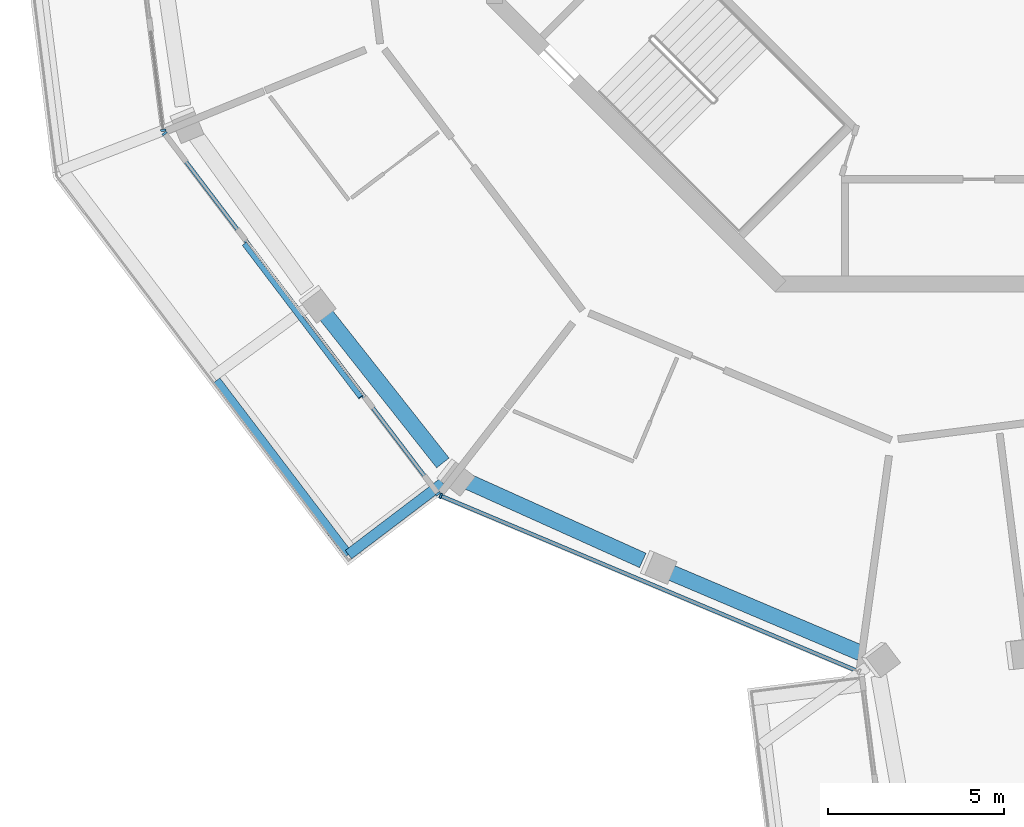
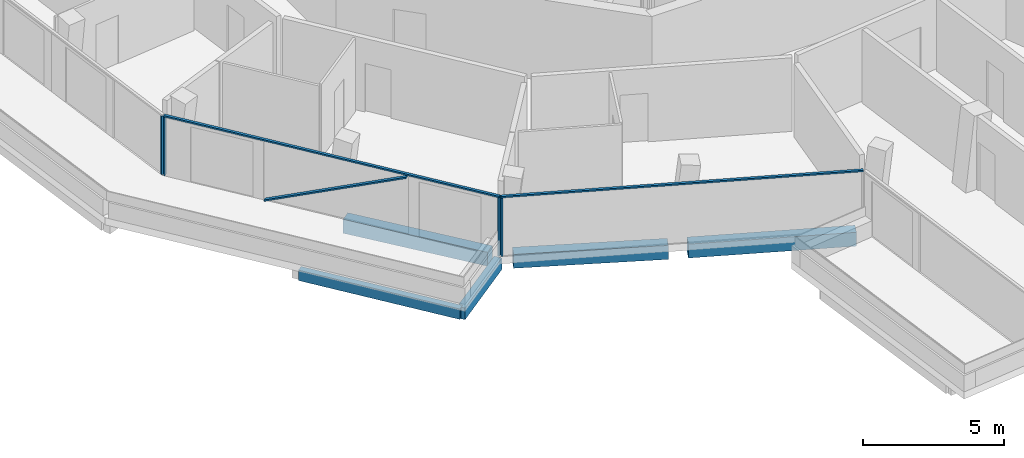
# One storey, part 2 of 26: 7 members, 5 beams, 3 elements without a shape of their own.
"""IFC4 building model written with IfcOpenShell, lengths in metres."""

from ifc_helpers import new_model, si_unit, direction, frame, origin, origin_2d, place, context, subcontext, project, spatial, rectangle, extrude, material, layer, layer_set, material_profile, profile_set, type_object, element, aggregate, save


model = new_model("IFC4")

# Units and contexts
model_context = context("Model", 3, precision=1e-05, world=origin(), true_north=direction((0.0, 1.0)))
body_context = subcontext(model_context, "Body", "Model", "MODEL_VIEW")
ifc_project = project(units=[si_unit("LENGTHUNIT", "METRE"), si_unit("AREAUNIT", "SQUARE_METRE"), si_unit("VOLUMEUNIT", "CUBIC_METRE"), si_unit("PLANEANGLEUNIT", "RADIAN"), si_unit("MASSUNIT", "GRAM", prefix="KILO")], contexts=[model_context])

# Site, building, storey
site_placement = place(None, origin())
site = spatial("IfcSite", under=ifc_project, at=site_placement, CompositionType="ELEMENT")
building_placement = place(site_placement, origin())
building = spatial("IfcBuilding", under=site, at=building_placement, Name="Verdalira Terraces Hotel", CompositionType="ELEMENT")
storey_placement = place(building_placement, frame((0.0, 0.0, 306.5)))
storey = spatial("IfcBuildingStorey", under=building, at=storey_placement, Name="L76", CompositionType="ELEMENT", Elevation=306.5)

# Beams
ifc_material_1 = material(Name="Concrete C40", Category="concrete")
ifc_material_profile_1 = material_profile(ifc_material_1, rectangle(XDim=0.300049, YDim=0.5, at=origin_2d()), Name="RC 300X500")
ifc_profile_set_1 = profile_set([ifc_material_profile_1], Name="Concrete C40")
beam_type_1 = type_object("IfcBeamType", Name="Balcony cantilever beam RC 300X500 C40", PredefinedType="BEAM", material=ifc_profile_set_1)
beam_1_placement = place(storey_placement, frame((-15.23877, -19.434326, -0.560059), z_axis=(-0.796518029, -0.604614777, 0.0), x_axis=(0.604614777, -0.796518029, 0.0)))
element("IfcBeam", 1, at=beam_1_placement, inside=storey, type_object=beam_type_1, Name="Balcony cantilever beam R11-2", PredefinedType="BEAM", context=body_context, shape_type="SweptSolid", body=[
    extrude(rectangle(XDim=0.300049, YDim=0.5, at=origin_2d()), origin(), (0.0, 0.0, 1.0), 3.370117),
])
ifc_material_2 = material(Name="Concrete C40", Category="concrete")
ifc_material_profile_2 = material_profile(ifc_material_2, rectangle(XDim=0.25, YDim=0.449951, at=origin_2d()), Name="RC 250X450")
ifc_profile_set_2 = profile_set([ifc_material_profile_2], Name="Concrete C40")
beam_type_2 = type_object("IfcBeamType", Name="Balcony edge beam RC 250X450 C40", PredefinedType="BEAM", material=ifc_profile_set_2)
beam_2_placement = place(storey_placement, frame((-21.679199, -16.523926, -0.534912), z_axis=(0.604636758, -0.796501344, 0.0), x_axis=(0.796501344, 0.604636758, 0.0)))
element("IfcBeam", 2, at=beam_2_placement, inside=storey, type_object=beam_type_2, Name="Balcony edge beam R11-1", PredefinedType="BEAM", context=body_context, shape_type="SweptSolid", body=[
    extrude(rectangle(XDim=0.25, YDim=0.449951, at=origin_2d()), origin(), (0.0, 0.0, 1.0), 6.212158),
])

# Curtain wall, member
ifc_material_3 = material(Name="Clear glass", Category="glass")
ifc_layer = layer(ifc_material_3, 0.14990234375)
ifc_layer_set = layer_set([ifc_layer], Name="CW1 curtain wall")
curtain_wall_type = type_object("IfcCurtainWallType", Name="CW1 curtain wall", PredefinedType="NOTDEFINED", material=ifc_layer_set)
curtain_wall_1_placement = place(storey_placement, origin())
curtain_wall_1 = element("IfcCurtainWall", 3, at=curtain_wall_1_placement, inside=storey, type_object=curtain_wall_type, Name="CW1 curtain wall L76 edge 11", PredefinedType="NOTDEFINED")
ifc_material_4 = material(Name="Terracotta frame", Category="masonry")
ifc_material_profile_3 = material_profile(ifc_material_4, rectangle(XDim=0.060059, YDim=0.149902, at=origin_2d()), Name="MU 60x150")
ifc_profile_set_3 = profile_set([ifc_material_profile_3], Name="Terracotta frame")
member_type_1 = type_object("IfcMemberType", Name="CW1 mullion 60x150", PredefinedType="MULLION", material=ifc_profile_set_3)
member_1_placement = place(storey_placement, frame((-23.186768, -9.410156, 0.0), z_axis=(0.0, 0.0, 1.0), x_axis=(0.125333234, -0.992114701, 0.0)))
member_1 = element("IfcMember", 4, at=member_1_placement, type_object=member_type_1, Name="CW1 mullion", PredefinedType="MULLION", context=body_context, shape_type="SweptSolid", body=[
    extrude(rectangle(XDim=0.060059, YDim=0.149902, at=origin_2d()), origin(), (0.0, 0.0, 1.0), 2.524902),
])
aggregate(curtain_wall_1, [member_1])

# Curtain wall, members
curtain_wall_2_placement = place(storey_placement, origin())
curtain_wall_2 = element("IfcCurtainWall", 5, at=curtain_wall_2_placement, inside=storey, type_object=curtain_wall_type, Name="CW1 curtain wall L76 edge 12", PredefinedType="NOTDEFINED")
member_2_placement = place(storey_placement, frame((-23.150146, -9.499756, 0.0), z_axis=(0.0, 0.0, 1.0), x_axis=(0.604599115, -0.796529918, 0.0)))
member_2 = element("IfcMember", 6, at=member_2_placement, type_object=member_type_1, Name="CW1 mullion", PredefinedType="MULLION", context=body_context, shape_type="SweptSolid", body=[
    extrude(rectangle(XDim=0.060059, YDim=0.149902, at=origin_2d()), origin(), (0.0, 0.0, 1.0), 2.524902),
])
member_3_placement = place(storey_placement, frame((-15.375244, -19.742676, 0.0), z_axis=(0.0, 0.0, 1.0), x_axis=(0.604599115, -0.796529918, 0.0)))
member_3 = element("IfcMember", 7, at=member_3_placement, type_object=member_type_1, Name="CW1 mullion", PredefinedType="MULLION", context=body_context, shape_type="SweptSolid", body=[
    extrude(rectangle(XDim=0.060059, YDim=0.149902, at=origin_2d()), origin(), (0.0, 0.0, 1.0), 2.524902),
])

# Curtain wall, member
curtain_wall_3_placement = place(storey_placement, origin())
curtain_wall_3 = element("IfcCurtainWall", 8, at=curtain_wall_3_placement, inside=storey, type_object=curtain_wall_type, Name="CW1 curtain wall L76 edge 13", PredefinedType="NOTDEFINED")
member_4_placement = place(storey_placement, frame((-15.298828, -19.802002, 0.0), z_axis=(0.0, 0.0, 1.0), x_axis=(0.921863152, -0.387515586, 0.0)))
member_4 = element("IfcMember", 9, at=member_4_placement, type_object=member_type_1, Name="CW1 mullion", PredefinedType="MULLION", context=body_context, shape_type="SweptSolid", body=[
    extrude(rectangle(XDim=0.060059, YDim=0.149902, at=origin_2d()), origin(), (0.0, 0.0, 1.0), 2.524902),
])

# Member
ifc_material_5 = material(Name="Terracotta frame", Category="masonry")
ifc_material_profile_4 = material_profile(ifc_material_5, rectangle(XDim=0.110107, YDim=0.064941, at=origin_2d()), Name="TR 65x110")
ifc_profile_set_4 = profile_set([ifc_material_profile_4], Name="Terracotta frame")
member_type_2 = type_object("IfcMemberType", Name="CW1 transom 65x110", PredefinedType="USERDEFINED", material=ifc_profile_set_4)
member_5_placement = place(storey_placement, frame((-23.168457, -9.47583, 2.557617), z_axis=(0.604606903, -0.796524006, 0.0), x_axis=(0.796524006, 0.604606903, 0.0)))
member_5 = element("IfcMember", 10, at=member_5_placement, type_object=member_type_2, Name="CW1 transom", ObjectType="TRANSOM", PredefinedType="USERDEFINED", context=body_context, shape_type="SweptSolid", body=[
    extrude(rectangle(XDim=0.110107, YDim=0.064941, at=origin_2d()), origin(), (0.0, 0.0, 1.0), 12.919678),
])

member_6_placement = place(storey_placement, frame((-15.326416, -19.790527, 2.557617), z_axis=(0.921865708, -0.387509505, 0.0), x_axis=(0.387509505, 0.921865708, 0.0)))
member_6 = element("IfcMember", 11, at=member_6_placement, type_object=member_type_2, Name="CW1 transom", ObjectType="TRANSOM", PredefinedType="USERDEFINED", context=body_context, shape_type="SweptSolid", body=[
    extrude(rectangle(XDim=0.110107, YDim=0.064941, at=origin_2d()), origin(), (0.0, 0.0, 1.0), 12.959717),
])

aggregate(curtain_wall_3, [member_4, member_6])

ifc_material_6 = material(Name="Terracotta frame", Category="masonry")
ifc_material_profile_5 = material_profile(ifc_material_6, rectangle(XDim=0.149902, YDim=0.060059, at=origin_2d()), Name="GB 60x150")
ifc_profile_set_5 = profile_set([ifc_material_profile_5], Name="Terracotta frame")
member_type_3 = type_object("IfcMemberType", Name="Diagonal glazing bar 60x150", PredefinedType="USERDEFINED", material=ifc_profile_set_5)
member_7_placement = place(storey_placement, frame((-20.875977, -12.643311, 0.028076), z_axis=(0.550948326, -0.725813117, 0.411887437), x_axis=(0.796516079, 0.604617346, 0.0)))
member_7 = element("IfcMember", 12, at=member_7_placement, type_object=member_type_3, Name="Diagonal glazing bar", ObjectType="GLAZING BAR", PredefinedType="USERDEFINED", context=body_context, shape_type="SweptSolid", body=[
    extrude(rectangle(XDim=0.149902, YDim=0.060059, at=origin_2d()), origin(), (0.0, 0.0, 1.0), 5.993652),
])

aggregate(curtain_wall_2, [member_2, member_3, member_5, member_7])

# Beams
ifc_material_7 = material(Name="Concrete C40", Category="concrete")
ifc_material_profile_6 = material_profile(ifc_material_7, rectangle(XDim=0.449951, YDim=0.600098, at=origin_2d()), Name="RC 450X600")
ifc_profile_set_6 = profile_set([ifc_material_profile_6], Name="Concrete C40")
beam_type_3 = type_object("IfcBeamType", Name="Spandrel beam RC 450X600 C40", PredefinedType="SPANDREL", material=ifc_profile_set_6)
beam_3_placement = place(storey_placement, frame((-18.661133, -14.532715, -0.610107), z_axis=(0.619813452, -0.784749186, 0.0), x_axis=(0.784749186, 0.619813452, 0.0)))
element("IfcBeam", 13, at=beam_3_placement, inside=storey, type_object=beam_type_3, Name="Spandrel beam B07", PredefinedType="SPANDREL", context=body_context, shape_type="SweptSolid", body=[
    extrude(rectangle(XDim=0.449951, YDim=0.600098, at=origin_2d()), origin(), (0.0, 0.0, 1.0), 5.52124),
])
beam_4_placement = place(storey_placement, frame((-14.589844, -19.369873, -0.610107), z_axis=(0.911847058, -0.410530076, 0.0), x_axis=(0.410530076, 0.911847058, 0.0)))
element("IfcBeam", 14, at=beam_4_placement, inside=storey, type_object=beam_type_3, Name="Spandrel beam B08", PredefinedType="SPANDREL", context=body_context, shape_type="SweptSolid", body=[
    extrude(rectangle(XDim=0.449951, YDim=0.600098, at=origin_2d()), origin(), (0.0, 0.0, 1.0), 5.523438),
])
beam_5_placement = place(storey_placement, frame((-8.904785, -21.920898, -0.610107), z_axis=(0.920733917, -0.390191049, 0.0), x_axis=(0.390191049, 0.920733917, 0.0)))
element("IfcBeam", 15, at=beam_5_placement, inside=storey, type_object=beam_type_3, Name="Spandrel beam B09", PredefinedType="SPANDREL", context=body_context, shape_type="SweptSolid", body=[
    extrude(rectangle(XDim=0.449951, YDim=0.600098, at=origin_2d()), origin(), (0.0, 0.0, 1.0), 6.011719),
])

save(model, "model.ifc")
